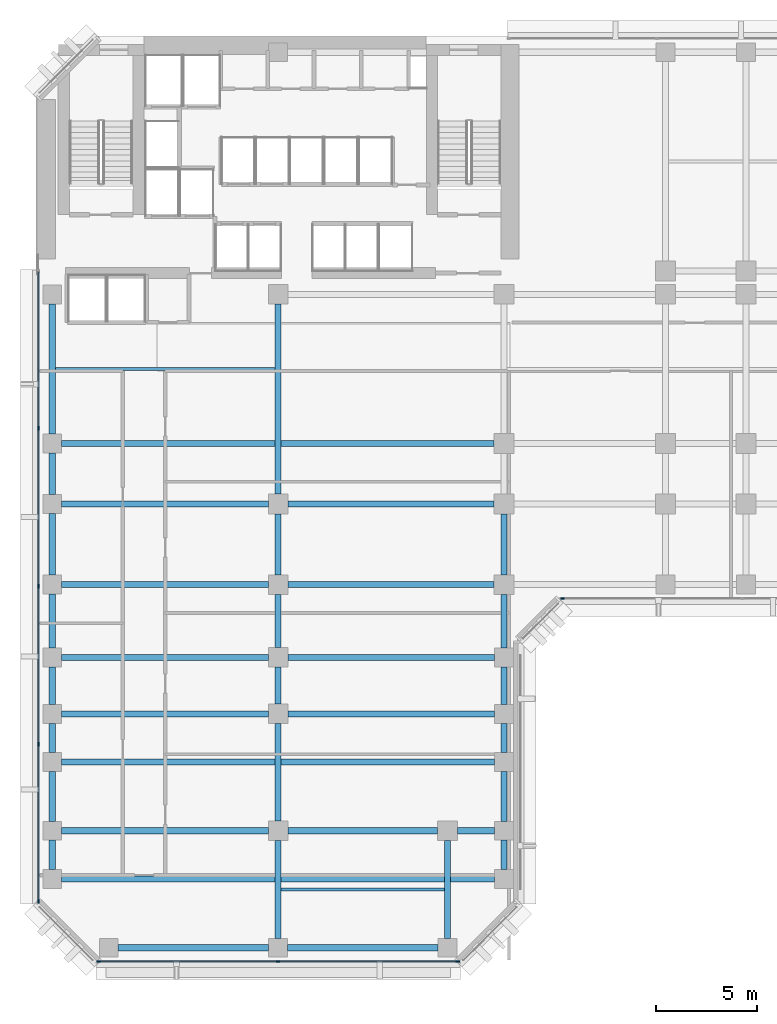
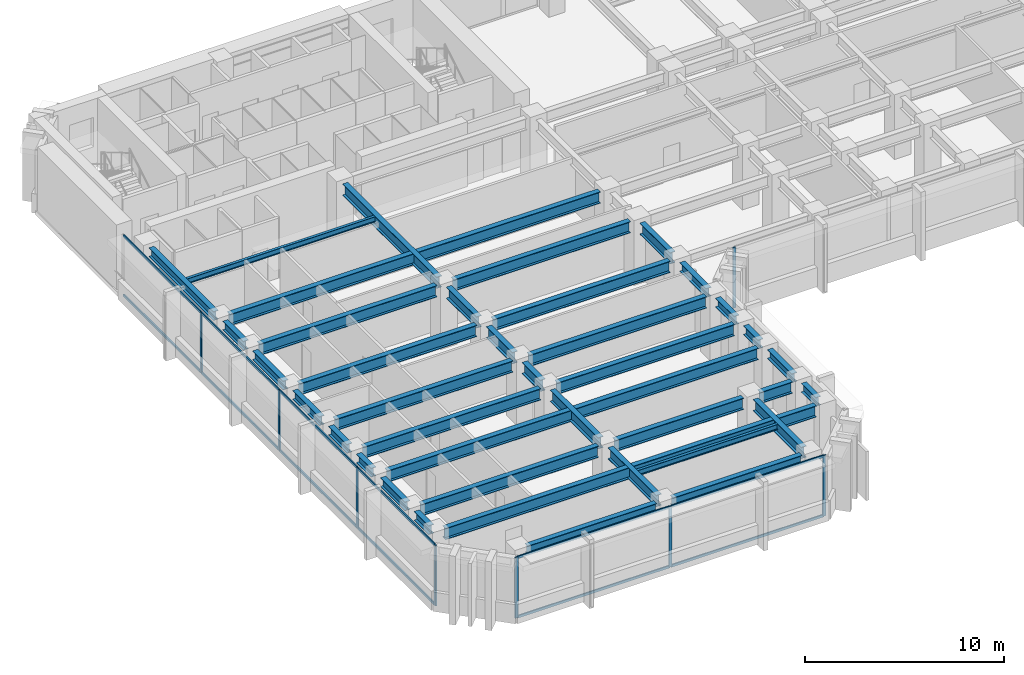
# One storey, part 2 of 14: 39 beams, 20 members, 3 elements without a shape of their own.
"""IFC4 building model written with IfcOpenShell, lengths in metres."""

from ifc_helpers import new_model, si_unit, direction, frame, origin, origin_2d, place, context, subcontext, project, spatial, rectangle, i_section, extrude, material, layer, layer_set, material_profile, profile_set, type_object, element, aggregate, save


model = new_model("IFC4")

# Units and contexts
model_context = context("Model", 3, precision=1e-05, world=origin(), true_north=direction((0.0, 1.0)))
body_context = subcontext(model_context, "Body", "Model", "MODEL_VIEW")
ifc_project = project(units=[si_unit("LENGTHUNIT", "METRE"), si_unit("AREAUNIT", "SQUARE_METRE"), si_unit("VOLUMEUNIT", "CUBIC_METRE"), si_unit("PLANEANGLEUNIT", "RADIAN"), si_unit("MASSUNIT", "GRAM", prefix="KILO")], contexts=[model_context])

# Site, building, storey
site_placement = place(None, origin())
site = spatial("IfcSite", under=ifc_project, at=site_placement, CompositionType="ELEMENT")
building_placement = place(site_placement, origin())
building = spatial("IfcBuilding", under=site, at=building_placement, Name="Kefirva Bronze Tower", CompositionType="ELEMENT")
storey_placement = place(building_placement, frame((0.0, 0.0, 34.320068359375)))
storey = spatial("IfcBuildingStorey", under=building, at=storey_placement, Name="L07", CompositionType="ELEMENT", Elevation=34.320068359375)

# Curtain wall, members
ifc_material_1 = material(Name="Bronze anodised aluminium", Category="aluminium")
ifc_layer = layer(ifc_material_1, 0.199951171875, Name="Bronze anodised aluminium")
ifc_layer_set = layer_set([ifc_layer], Name="Bronze anodised aluminium")
curtain_wall_type = type_object("IfcCurtainWallType", Name="Unitised Bronze Ribbon Curtain Wall Zone 1", PredefinedType="USERDEFINED", material=ifc_layer_set)
curtain_wall_1_placement = place(storey_placement, origin())
curtain_wall_1 = element("IfcCurtainWall", 1, at=curtain_wall_1_placement, inside=storey, type_object=curtain_wall_type, Name="L07 Curtain Wall 1", ObjectType="UNITISED CURTAIN WALL", PredefinedType="USERDEFINED")
ifc_material_profile_1 = material_profile(ifc_material_1, rectangle(XDim=0.074951171875, YDim=0.179931640625, at=origin_2d()), Name="ALU 75x180")
ifc_profile_set_1 = profile_set([ifc_material_profile_1], Name="Bronze anodised aluminium")
member_type_1 = type_object("IfcMemberType", Name="Bronze Mullion 75x180", PredefinedType="MULLION", material=ifc_profile_set_1)
member_1_placement = place(storey_placement, frame((3.092529296875, 0.1201171875, 0.0), z_axis=(0.0, 0.0, 1.0), x_axis=(0.0, 1.0, 0.0)))
member_1 = element("IfcMember", 2, at=member_1_placement, type_object=member_type_1, Name="CW-01 mullion 1", PredefinedType="MULLION", context=body_context, shape_type="SweptSolid", body=[
    extrude(rectangle(XDim=0.074951171875, YDim=0.179931640625, at=origin_2d()), origin(), (0.0, 0.0, 1.0), 3.7099609375),
])
member_2_placement = place(storey_placement, frame((12.0, 0.1201171875, 0.0), z_axis=(0.0, 0.0, 1.0), x_axis=(0.0, 1.0, 0.0)))
member_2 = element("IfcMember", 3, at=member_2_placement, type_object=member_type_1, Name="CW-01 mullion 2", PredefinedType="MULLION", context=body_context, shape_type="SweptSolid", body=[
    extrude(rectangle(XDim=0.074951171875, YDim=0.179931640625, at=origin_2d()), origin(), (0.0, 0.0, 1.0), 3.7099609375),
])
member_3_placement = place(storey_placement, frame((20.907470703125, 0.1201171875, 0.0), z_axis=(0.0, 0.0, 1.0), x_axis=(0.0, 1.0, 0.0)))
member_3 = element("IfcMember", 4, at=member_3_placement, type_object=member_type_1, Name="CW-01 mullion 3", PredefinedType="MULLION", context=body_context, shape_type="SweptSolid", body=[
    extrude(rectangle(XDim=0.074951171875, YDim=0.179931640625, at=origin_2d()), origin(), (0.0, 0.0, 1.0), 3.7099609375),
])

# Curtain wall, member
curtain_wall_2_placement = place(storey_placement, origin())
curtain_wall_2 = element("IfcCurtainWall", 5, at=curtain_wall_2_placement, inside=storey, type_object=curtain_wall_type, Name="L07 Curtain Wall 2", ObjectType="UNITISED CURTAIN WALL", PredefinedType="USERDEFINED")
member_4_placement = place(storey_placement, frame((26.092529296875, 18.1201171875, 0.0), z_axis=(0.0, 0.0, 1.0), x_axis=(0.0, 1.0, 0.0)))
member_4 = element("IfcMember", 6, at=member_4_placement, type_object=member_type_1, Name="CW-01 mullion 1", PredefinedType="MULLION", context=body_context, shape_type="SweptSolid", body=[
    extrude(rectangle(XDim=0.074951171875, YDim=0.179931640625, at=origin_2d()), origin(), (0.0, 0.0, 1.0), 3.7099609375),
])
aggregate(curtain_wall_2, [member_4])

# Curtain wall, members
curtain_wall_3_placement = place(storey_placement, origin())
curtain_wall_3 = element("IfcCurtainWall", 7, at=curtain_wall_3_placement, inside=storey, type_object=curtain_wall_type, Name="L07 Curtain Wall 5", ObjectType="UNITISED CURTAIN WALL", PredefinedType="USERDEFINED")
member_5_placement = place(storey_placement, frame((0.1201171875, 26.56005859375, 0.0), z_axis=(0.0, 0.0, 1.0), x_axis=(1.0, 0.0, 0.0)))
member_5 = element("IfcMember", 8, at=member_5_placement, type_object=member_type_1, Name="CW-01 mullion 2", PredefinedType="MULLION", context=body_context, shape_type="SweptSolid", body=[
    extrude(rectangle(XDim=0.074951171875, YDim=0.179931640625, at=origin_2d()), origin(), (0.0, 0.0, 1.0), 3.7099609375),
])
member_6_placement = place(storey_placement, frame((0.1201171875, 18.72509765625, 0.0), z_axis=(0.0, 0.0, 1.0), x_axis=(1.0, 0.0, 0.0)))
member_6 = element("IfcMember", 9, at=member_6_placement, type_object=member_type_1, Name="CW-01 mullion 3", PredefinedType="MULLION", context=body_context, shape_type="SweptSolid", body=[
    extrude(rectangle(XDim=0.074951171875, YDim=0.179931640625, at=origin_2d()), origin(), (0.0, 0.0, 1.0), 3.7099609375),
])
member_7_placement = place(storey_placement, frame((0.1201171875, 10.889892578125, 0.0), z_axis=(0.0, 0.0, 1.0), x_axis=(1.0, 0.0, 0.0)))
member_7 = element("IfcMember", 10, at=member_7_placement, type_object=member_type_1, Name="CW-01 mullion 4", PredefinedType="MULLION", context=body_context, shape_type="SweptSolid", body=[
    extrude(rectangle(XDim=0.074951171875, YDim=0.179931640625, at=origin_2d()), origin(), (0.0, 0.0, 1.0), 3.7099609375),
])
member_8_placement = place(storey_placement, frame((0.1201171875, 3.092529296875, 0.0), z_axis=(0.0, 0.0, 1.0), x_axis=(1.0, 0.0, 0.0)))
member_8 = element("IfcMember", 11, at=member_8_placement, type_object=member_type_1, Name="CW-01 mullion 5", PredefinedType="MULLION", context=body_context, shape_type="SweptSolid", body=[
    extrude(rectangle(XDim=0.074951171875, YDim=0.179931640625, at=origin_2d()), origin(), (0.0, 0.0, 1.0), 3.7099609375),
])

# Member
ifc_material_profile_2 = material_profile(ifc_material_1, rectangle(XDim=0.074951171875, YDim=0.14990234375, at=origin_2d()), Name="ALU 75x150")
ifc_profile_set_2 = profile_set([ifc_material_profile_2], Name="Bronze anodised aluminium")
member_type_2 = type_object("IfcMemberType", Name="Bronze Transom 75x150", PredefinedType="USERDEFINED", material=ifc_profile_set_2)
member_9_placement = place(storey_placement, frame((3.1298828125, 0.1201171875, 0.037353515625), z_axis=(1.0, 0.0, 0.0), x_axis=(0.0, 1.0, 0.0)))
member_9 = element("IfcMember", 12, at=member_9_placement, type_object=member_type_2, Name="CW-01 transom 1.1", ObjectType="TRANSOM", PredefinedType="USERDEFINED", context=body_context, shape_type="SweptSolid", body=[
    extrude(rectangle(XDim=0.074951171875, YDim=0.14990234375, at=origin_2d()), origin(), (0.0, 0.0, 1.0), 8.83251953125),
])

member_10_placement = place(storey_placement, frame((3.1298828125, 0.1201171875, 3.67236328125), z_axis=(1.0, 0.0, 0.0), x_axis=(0.0, 1.0, 0.0)))
member_10 = element("IfcMember", 13, at=member_10_placement, type_object=member_type_2, Name="CW-01 transom 1.2", ObjectType="TRANSOM", PredefinedType="USERDEFINED", context=body_context, shape_type="SweptSolid", body=[
    extrude(rectangle(XDim=0.074951171875, YDim=0.14990234375, at=origin_2d()), origin(), (0.0, 0.0, 1.0), 8.83251953125),
])

member_11_placement = place(storey_placement, frame((12.03759765625, 0.1201171875, 0.037353515625), z_axis=(1.0, 0.0, 0.0), x_axis=(0.0, 1.0, 0.0)))
member_11 = element("IfcMember", 14, at=member_11_placement, type_object=member_type_2, Name="CW-01 transom 2.1", ObjectType="TRANSOM", PredefinedType="USERDEFINED", context=body_context, shape_type="SweptSolid", body=[
    extrude(rectangle(XDim=0.074951171875, YDim=0.14990234375, at=origin_2d()), origin(), (0.0, 0.0, 1.0), 8.83251953125),
])

member_12_placement = place(storey_placement, frame((12.03759765625, 0.1201171875, 3.67236328125), z_axis=(1.0, 0.0, 0.0), x_axis=(0.0, 1.0, 0.0)))
member_12 = element("IfcMember", 15, at=member_12_placement, type_object=member_type_2, Name="CW-01 transom 2.2", ObjectType="TRANSOM", PredefinedType="USERDEFINED", context=body_context, shape_type="SweptSolid", body=[
    extrude(rectangle(XDim=0.074951171875, YDim=0.14990234375, at=origin_2d()), origin(), (0.0, 0.0, 1.0), 8.83251953125),
])

aggregate(curtain_wall_1, [member_1, member_2, member_3, member_9, member_10, member_11, member_12])

member_13_placement = place(storey_placement, frame((0.1201171875, 34.320068359375, 0.037353515625), z_axis=(0.0, -1.0, 0.0), x_axis=(1.0, 0.0, 0.0)))
member_13 = element("IfcMember", 16, at=member_13_placement, type_object=member_type_2, Name="CW-01 transom 1.1", ObjectType="TRANSOM", PredefinedType="USERDEFINED", context=body_context, shape_type="SweptSolid", body=[
    extrude(rectangle(XDim=0.074951171875, YDim=0.14990234375, at=origin_2d()), origin(), (0.0, 0.0, 1.0), 7.72265625),
])

member_14_placement = place(storey_placement, frame((0.1201171875, 34.320068359375, 3.67236328125), z_axis=(0.0, -1.0, 0.0), x_axis=(1.0, 0.0, 0.0)))
member_14 = element("IfcMember", 17, at=member_14_placement, type_object=member_type_2, Name="CW-01 transom 1.2", ObjectType="TRANSOM", PredefinedType="USERDEFINED", context=body_context, shape_type="SweptSolid", body=[
    extrude(rectangle(XDim=0.074951171875, YDim=0.14990234375, at=origin_2d()), origin(), (0.0, 0.0, 1.0), 7.72265625),
])

member_15_placement = place(storey_placement, frame((0.1201171875, 26.5224609375, 0.037353515625), z_axis=(0.0, -1.0, 0.0), x_axis=(1.0, 0.0, 0.0)))
member_15 = element("IfcMember", 18, at=member_15_placement, type_object=member_type_2, Name="CW-01 transom 2.1", ObjectType="TRANSOM", PredefinedType="USERDEFINED", context=body_context, shape_type="SweptSolid", body=[
    extrude(rectangle(XDim=0.074951171875, YDim=0.14990234375, at=origin_2d()), origin(), (0.0, 0.0, 1.0), 7.760009765625),
])

member_16_placement = place(storey_placement, frame((0.1201171875, 26.5224609375, 3.67236328125), z_axis=(0.0, -1.0, 0.0), x_axis=(1.0, 0.0, 0.0)))
member_16 = element("IfcMember", 19, at=member_16_placement, type_object=member_type_2, Name="CW-01 transom 2.2", ObjectType="TRANSOM", PredefinedType="USERDEFINED", context=body_context, shape_type="SweptSolid", body=[
    extrude(rectangle(XDim=0.074951171875, YDim=0.14990234375, at=origin_2d()), origin(), (0.0, 0.0, 1.0), 7.760009765625),
])

member_17_placement = place(storey_placement, frame((0.1201171875, 18.6875, 0.037353515625), z_axis=(0.0, -1.0, 0.0), x_axis=(1.0, 0.0, 0.0)))
member_17 = element("IfcMember", 20, at=member_17_placement, type_object=member_type_2, Name="CW-01 transom 3.1", ObjectType="TRANSOM", PredefinedType="USERDEFINED", context=body_context, shape_type="SweptSolid", body=[
    extrude(rectangle(XDim=0.074951171875, YDim=0.14990234375, at=origin_2d()), origin(), (0.0, 0.0, 1.0), 7.760009765625),
])

member_18_placement = place(storey_placement, frame((0.1201171875, 18.6875, 3.67236328125), z_axis=(0.0, -1.0, 0.0), x_axis=(1.0, 0.0, 0.0)))
member_18 = element("IfcMember", 21, at=member_18_placement, type_object=member_type_2, Name="CW-01 transom 3.2", ObjectType="TRANSOM", PredefinedType="USERDEFINED", context=body_context, shape_type="SweptSolid", body=[
    extrude(rectangle(XDim=0.074951171875, YDim=0.14990234375, at=origin_2d()), origin(), (0.0, 0.0, 1.0), 7.760009765625),
])

member_19_placement = place(storey_placement, frame((0.1201171875, 10.8525390625, 0.037353515625), z_axis=(0.0, -1.0, 0.0), x_axis=(1.0, 0.0, 0.0)))
member_19 = element("IfcMember", 22, at=member_19_placement, type_object=member_type_2, Name="CW-01 transom 4.1", ObjectType="TRANSOM", PredefinedType="USERDEFINED", context=body_context, shape_type="SweptSolid", body=[
    extrude(rectangle(XDim=0.074951171875, YDim=0.14990234375, at=origin_2d()), origin(), (0.0, 0.0, 1.0), 7.72265625),
])

member_20_placement = place(storey_placement, frame((0.1201171875, 10.8525390625, 3.67236328125), z_axis=(0.0, -1.0, 0.0), x_axis=(1.0, 0.0, 0.0)))
member_20 = element("IfcMember", 23, at=member_20_placement, type_object=member_type_2, Name="CW-01 transom 4.2", ObjectType="TRANSOM", PredefinedType="USERDEFINED", context=body_context, shape_type="SweptSolid", body=[
    extrude(rectangle(XDim=0.074951171875, YDim=0.14990234375, at=origin_2d()), origin(), (0.0, 0.0, 1.0), 7.72265625),
])

aggregate(curtain_wall_3, [member_5, member_6, member_7, member_8, member_13, member_14, member_15, member_16, member_17, member_18, member_19, member_20])

# Beams
ifc_material_2 = material(Name="Steel S355", Category="steel")
ifc_material_profile_3 = material_profile(ifc_material_2, i_section(OverallWidth=0.159912109375, OverallDepth=0.330078125, WebThickness=0.007568359375, FlangeThickness=0.011474609375, at=origin_2d()), Name="IPE 330")
ifc_profile_set_3 = profile_set([ifc_material_profile_3], Name="Steel S355")
beam_type_1 = type_object("IfcBeamType", Name="Steel Floor Joist IPE 330", PredefinedType="JOIST", material=ifc_profile_set_3)
beam_1_placement = place(storey_placement, frame((0.949951171875, 29.489990234375, 3.544921875), z_axis=(1.0, 0.0, 0.0), x_axis=(0.0, 1.0, 0.0)))
element("IfcBeam", 24, at=beam_1_placement, inside=storey, type_object=beam_type_1, Name="L07 JST-L07-0-294", PredefinedType="JOIST", context=body_context, shape_type="SweptSolid", body=[
    extrude(i_section(OverallWidth=0.159912109375, OverallDepth=0.330078125, WebThickness=0.007568359375, FlangeThickness=0.011474609375, at=origin_2d()), origin(), (0.0, 0.0, 1.0), 10.900146484375),
])
beam_2_placement = place(storey_placement, frame((12.14990234375, 3.68994140625, 3.544921875), z_axis=(1.0, 0.0, 0.0), x_axis=(0.0, 1.0, 0.0)))
element("IfcBeam", 25, at=beam_2_placement, inside=storey, type_object=beam_type_1, Name="L07 JST-L07-12-36", PredefinedType="JOIST", context=body_context, shape_type="SweptSolid", body=[
    extrude(i_section(OverallWidth=0.159912109375, OverallDepth=0.330078125, WebThickness=0.007568359375, FlangeThickness=0.011474609375, at=origin_2d()), origin(), (0.0, 0.0, 1.0), 8.10009765625),
])
ifc_material_profile_4 = material_profile(ifc_material_2, i_section(OverallWidth=0.300048828125, OverallDepth=0.699951171875, WebThickness=0.01708984375, FlangeThickness=0.031982421875, at=origin_2d()), Name="HEB 700")
ifc_profile_set_4 = profile_set([ifc_material_profile_4], Name="Steel S355")
beam_type_2 = type_object("IfcBeamType", Name="Steel Girder HEB 700", PredefinedType="USERDEFINED", material=ifc_profile_set_4)
beam_3_placement = place(storey_placement, frame((1.27001953125, 4.199951171875, 3.35986328125), z_axis=(1.0, 0.0, 0.0), x_axis=(0.0, 1.0, 0.0)))
element("IfcBeam", 26, at=beam_3_placement, inside=storey, type_object=beam_type_2, Name="L07 BM-L07-EW-0-42", ObjectType="GIRDER", PredefinedType="USERDEFINED", context=body_context, shape_type="SweptSolid", body=[
    extrude(i_section(OverallWidth=0.300048828125, OverallDepth=0.699951171875, WebThickness=0.01708984375, FlangeThickness=0.031982421875, at=origin_2d()), origin(), (0.0, 0.0, 1.0), 21.4599609375),
])
beam_4_placement = place(storey_placement, frame((1.27001953125, 6.60009765625, 3.35986328125), z_axis=(1.0, 0.0, 0.0), x_axis=(0.0, 1.0, 0.0)))
element("IfcBeam", 27, at=beam_4_placement, inside=storey, type_object=beam_type_2, Name="L07 BM-L07-EW-0-66", ObjectType="GIRDER", PredefinedType="USERDEFINED", context=body_context, shape_type="SweptSolid", body=[
    extrude(i_section(OverallWidth=0.300048828125, OverallDepth=0.699951171875, WebThickness=0.01708984375, FlangeThickness=0.031982421875, at=origin_2d()), origin(), (0.0, 0.0, 1.0), 10.239990234375),
])
beam_5_placement = place(storey_placement, frame((12.489990234375, 6.60009765625, 3.35986328125), z_axis=(1.0, 0.0, 0.0), x_axis=(0.0, 1.0, 0.0)))
element("IfcBeam", 28, at=beam_5_placement, inside=storey, type_object=beam_type_2, Name="L07 BM-L07-EW-12-66", ObjectType="GIRDER", PredefinedType="USERDEFINED", context=body_context, shape_type="SweptSolid", body=[
    extrude(i_section(OverallWidth=0.300048828125, OverallDepth=0.699951171875, WebThickness=0.01708984375, FlangeThickness=0.031982421875, at=origin_2d()), origin(), (0.0, 0.0, 1.0), 7.419921875),
])
beam_6_placement = place(storey_placement, frame((20.889892578125, 6.60009765625, 3.35986328125), z_axis=(1.0, 0.0, 0.0), x_axis=(0.0, 1.0, 0.0)))
element("IfcBeam", 29, at=beam_6_placement, inside=storey, type_object=beam_type_2, Name="L07 BM-L07-EW-20-66", ObjectType="GIRDER", PredefinedType="USERDEFINED", context=body_context, shape_type="SweptSolid", body=[
    extrude(i_section(OverallWidth=0.300048828125, OverallDepth=0.699951171875, WebThickness=0.01708984375, FlangeThickness=0.031982421875, at=origin_2d()), origin(), (0.0, 0.0, 1.0), 1.840087890625),
])
beam_7_placement = place(storey_placement, frame((1.27001953125, 10.0, 3.35986328125), z_axis=(1.0, 0.0, 0.0), x_axis=(0.0, 1.0, 0.0)))
element("IfcBeam", 30, at=beam_7_placement, inside=storey, type_object=beam_type_2, Name="L07 BM-L07-EW-0-100", ObjectType="GIRDER", PredefinedType="USERDEFINED", context=body_context, shape_type="SweptSolid", body=[
    extrude(i_section(OverallWidth=0.300048828125, OverallDepth=0.699951171875, WebThickness=0.01708984375, FlangeThickness=0.031982421875, at=origin_2d()), origin(), (0.0, 0.0, 1.0), 21.4599609375),
])
for number, where, z_axis, x_axis, name in (
    (31, (1.27001953125, 12.39990234375, 3.35986328125), (1.0, 0.0, 0.0), (0.0, 1.0, 0.0), "L07 BM-L07-EW-0-124"),
    (32, (12.489990234375, 12.39990234375, 3.35986328125), (1.0, 0.0, 0.0), (0.0, 1.0, 0.0), "L07 BM-L07-EW-12-124"),
    (33, (1.27001953125, 15.199951171875, 3.35986328125), (1.0, 0.0, 0.0), (0.0, 1.0, 0.0), "L07 BM-L07-EW-0-152"),
    (34, (12.489990234375, 15.199951171875, 3.35986328125), (1.0, 0.0, 0.0), (0.0, 1.0, 0.0), "L07 BM-L07-EW-12-152"),
    (35, (1.27001953125, 18.800048828125, 3.35986328125), (1.0, 0.0, 0.0), (0.0, 1.0, 0.0), "L07 BM-L07-EW-0-188"),
):
    element("IfcBeam", number, at=place(storey_placement, frame(where, z_axis=z_axis, x_axis=x_axis)), inside=storey, type_object=beam_type_2, Name=name, ObjectType="GIRDER", PredefinedType="USERDEFINED", context=body_context, shape_type="SweptSolid", body=[
        extrude(i_section(OverallWidth=0.300048828125, OverallDepth=0.699951171875, WebThickness=0.01708984375, FlangeThickness=0.031982421875, at=origin_2d()), origin(), (0.0, 0.0, 1.0), 10.239990234375),
    ])
beam_8_placement = place(storey_placement, frame((12.489990234375, 18.800048828125, 3.35986328125), z_axis=(1.0, 0.0, 0.0), x_axis=(0.0, 1.0, 0.0)))
element("IfcBeam", 36, at=beam_8_placement, inside=storey, type_object=beam_type_2, Name="L07 BM-L07-EW-12-188", ObjectType="GIRDER", PredefinedType="USERDEFINED", context=body_context, shape_type="SweptSolid", body=[
    extrude(i_section(OverallWidth=0.300048828125, OverallDepth=0.699951171875, WebThickness=0.01708984375, FlangeThickness=0.031982421875, at=origin_2d()), origin(), (0.0, 0.0, 1.0), 10.219970703125),
])
beam_9_placement = place(storey_placement, frame((1.27001953125, 22.800048828125, 3.35986328125), z_axis=(1.0, 0.0, 0.0), x_axis=(0.0, 1.0, 0.0)))
element("IfcBeam", 37, at=beam_9_placement, inside=storey, type_object=beam_type_2, Name="L07 BM-L07-EW-0-228", ObjectType="GIRDER", PredefinedType="USERDEFINED", context=body_context, shape_type="SweptSolid", body=[
    extrude(i_section(OverallWidth=0.300048828125, OverallDepth=0.699951171875, WebThickness=0.01708984375, FlangeThickness=0.031982421875, at=origin_2d()), origin(), (0.0, 0.0, 1.0), 10.239990234375),
])
beam_10_placement = place(storey_placement, frame((12.489990234375, 22.800048828125, 3.35986328125), z_axis=(1.0, 0.0, 0.0), x_axis=(0.0, 1.0, 0.0)))
element("IfcBeam", 38, at=beam_10_placement, inside=storey, type_object=beam_type_2, Name="L07 BM-L07-EW-12-228", ObjectType="GIRDER", PredefinedType="USERDEFINED", context=body_context, shape_type="SweptSolid", body=[
    extrude(i_section(OverallWidth=0.300048828125, OverallDepth=0.699951171875, WebThickness=0.01708984375, FlangeThickness=0.031982421875, at=origin_2d()), origin(), (0.0, 0.0, 1.0), 10.219970703125),
])
beam_11_placement = place(storey_placement, frame((1.27001953125, 25.800048828125, 3.35986328125), z_axis=(1.0, 0.0, 0.0), x_axis=(0.0, 1.0, 0.0)))
element("IfcBeam", 39, at=beam_11_placement, inside=storey, type_object=beam_type_2, Name="L07 BM-L07-EW-0-258", ObjectType="GIRDER", PredefinedType="USERDEFINED", context=body_context, shape_type="SweptSolid", body=[
    extrude(i_section(OverallWidth=0.300048828125, OverallDepth=0.699951171875, WebThickness=0.01708984375, FlangeThickness=0.031982421875, at=origin_2d()), origin(), (0.0, 0.0, 1.0), 21.43994140625),
])
beam_12_placement = place(storey_placement, frame((12.0, 1.27001953125, 3.35986328125), z_axis=(0.0, 1.0, 0.0), x_axis=(-1.0, 0.0, 0.0)))
element("IfcBeam", 40, at=beam_12_placement, inside=storey, type_object=beam_type_2, Name="L07 BM-L07-NS-120-0", ObjectType="GIRDER", PredefinedType="USERDEFINED", context=body_context, shape_type="SweptSolid", body=[
    extrude(i_section(OverallWidth=0.300048828125, OverallDepth=0.699951171875, WebThickness=0.01708984375, FlangeThickness=0.031982421875, at=origin_2d()), origin(), (0.0, 0.0, 1.0), 4.840087890625),
])
beam_13_placement = place(storey_placement, frame((12.0, 7.090087890625, 3.35986328125), z_axis=(0.0, 1.0, 0.0), x_axis=(-1.0, 0.0, 0.0)))
element("IfcBeam", 41, at=beam_13_placement, inside=storey, type_object=beam_type_2, Name="L07 BM-L07-NS-120-6", ObjectType="GIRDER", PredefinedType="USERDEFINED", context=body_context, shape_type="SweptSolid", body=[
    extrude(i_section(OverallWidth=0.300048828125, OverallDepth=0.699951171875, WebThickness=0.01708984375, FlangeThickness=0.031982421875, at=origin_2d()), origin(), (0.0, 0.0, 1.0), 4.81982421875),
])
beam_14_placement = place(storey_placement, frame((12.0, 12.889892578125, 3.35986328125), z_axis=(0.0, 1.0, 0.0), x_axis=(-1.0, 0.0, 0.0)))
element("IfcBeam", 42, at=beam_14_placement, inside=storey, type_object=beam_type_2, Name="L07 BM-L07-NS-120-12", ObjectType="GIRDER", PredefinedType="USERDEFINED", context=body_context, shape_type="SweptSolid", body=[
    extrude(i_section(OverallWidth=0.300048828125, OverallDepth=0.699951171875, WebThickness=0.01708984375, FlangeThickness=0.031982421875, at=origin_2d()), origin(), (0.0, 0.0, 1.0), 1.820068359375),
])
beam_15_placement = place(storey_placement, frame((12.0, 15.68994140625, 3.35986328125), z_axis=(0.0, 1.0, 0.0), x_axis=(-1.0, 0.0, 0.0)))
element("IfcBeam", 43, at=beam_15_placement, inside=storey, type_object=beam_type_2, Name="L07 BM-L07-NS-120-15", ObjectType="GIRDER", PredefinedType="USERDEFINED", context=body_context, shape_type="SweptSolid", body=[
    extrude(i_section(OverallWidth=0.300048828125, OverallDepth=0.699951171875, WebThickness=0.01708984375, FlangeThickness=0.031982421875, at=origin_2d()), origin(), (0.0, 0.0, 1.0), 2.6201171875),
])
beam_16_placement = place(storey_placement, frame((12.0, 19.2900390625, 3.35986328125), z_axis=(0.0, 1.0, 0.0), x_axis=(-1.0, 0.0, 0.0)))
element("IfcBeam", 44, at=beam_16_placement, inside=storey, type_object=beam_type_2, Name="L07 BM-L07-NS-120-18", ObjectType="GIRDER", PredefinedType="USERDEFINED", context=body_context, shape_type="SweptSolid", body=[
    extrude(i_section(OverallWidth=0.300048828125, OverallDepth=0.699951171875, WebThickness=0.01708984375, FlangeThickness=0.031982421875, at=origin_2d()), origin(), (0.0, 0.0, 1.0), 3.02001953125),
])
beam_17_placement = place(storey_placement, frame((12.0, 23.2900390625, 3.35986328125), z_axis=(0.0, 1.0, 0.0), x_axis=(-1.0, 0.0, 0.0)))
element("IfcBeam", 45, at=beam_17_placement, inside=storey, type_object=beam_type_2, Name="L07 BM-L07-NS-120-22", ObjectType="GIRDER", PredefinedType="USERDEFINED", context=body_context, shape_type="SweptSolid", body=[
    extrude(i_section(OverallWidth=0.300048828125, OverallDepth=0.699951171875, WebThickness=0.01708984375, FlangeThickness=0.031982421875, at=origin_2d()), origin(), (0.0, 0.0, 1.0), 9.419921875),
])
beam_18_placement = place(storey_placement, frame((20.39990234375, 1.27001953125, 3.35986328125), z_axis=(0.0, 1.0, 0.0), x_axis=(-1.0, 0.0, 0.0)))
element("IfcBeam", 46, at=beam_18_placement, inside=storey, type_object=beam_type_2, Name="L07 BM-L07-NS-204-0", ObjectType="GIRDER", PredefinedType="USERDEFINED", context=body_context, shape_type="SweptSolid", body=[
    extrude(i_section(OverallWidth=0.300048828125, OverallDepth=0.699951171875, WebThickness=0.01708984375, FlangeThickness=0.031982421875, at=origin_2d()), origin(), (0.0, 0.0, 1.0), 4.840087890625),
])
beam_19_placement = place(storey_placement, frame((23.199951171875, 19.2900390625, 3.35986328125), z_axis=(0.0, 1.0, 0.0), x_axis=(-1.0, 0.0, 0.0)))
element("IfcBeam", 47, at=beam_19_placement, inside=storey, type_object=beam_type_2, Name="L07 BM-L07-NS-232-18", ObjectType="GIRDER", PredefinedType="USERDEFINED", context=body_context, shape_type="SweptSolid", body=[
    extrude(i_section(OverallWidth=0.300048828125, OverallDepth=0.699951171875, WebThickness=0.01708984375, FlangeThickness=0.031982421875, at=origin_2d()), origin(), (0.0, 0.0, 1.0), 3.02001953125),
])
ifc_material_profile_5 = material_profile(ifc_material_2, i_section(OverallWidth=0.300048828125, OverallDepth=0.550048828125, WebThickness=0.014892578125, FlangeThickness=0.029052734375, at=origin_2d()), Name="HEB 550")
ifc_profile_set_5 = profile_set([ifc_material_profile_5], Name="Steel S355")
beam_type_3 = type_object("IfcBeamType", Name="Steel Spandrel HEB 550 Ext", PredefinedType="SPANDREL", material=ifc_profile_set_5)
for number, where, z_axis, x_axis, name in (
    (48, (4.070068359375, 0.800048828125, 3.434814453125), (1.0, 0.0, 0.0), (0.0, 1.0, 0.0), "L07 BM-L07-EW-3-8"),
    (49, (12.469970703125, 0.800048828125, 3.434814453125), (1.0, 0.0, 0.0), (0.0, 1.0, 0.0), "L07 BM-L07-EW-12-8"),
):
    element("IfcBeam", number, at=place(storey_placement, frame(where, z_axis=z_axis, x_axis=x_axis)), inside=storey, type_object=beam_type_3, Name=name, PredefinedType="SPANDREL", context=body_context, shape_type="SweptSolid", body=[
        extrude(i_section(OverallWidth=0.300048828125, OverallDepth=0.550048828125, WebThickness=0.014892578125, FlangeThickness=0.029052734375, at=origin_2d()), origin(), (0.0, 0.0, 1.0), 7.4599609375),
    ])
beam_20_placement = place(storey_placement, frame((0.800048828125, 4.669921875, 3.434814453125), z_axis=(0.0, 1.0, 0.0), x_axis=(-1.0, 0.0, 0.0)))
element("IfcBeam", 50, at=beam_20_placement, inside=storey, type_object=beam_type_3, Name="L07 BM-L07-NS-8-4", PredefinedType="SPANDREL", context=body_context, shape_type="SweptSolid", body=[
    extrude(i_section(OverallWidth=0.300048828125, OverallDepth=0.550048828125, WebThickness=0.014892578125, FlangeThickness=0.029052734375, at=origin_2d()), origin(), (0.0, 0.0, 1.0), 1.4599609375),
])
beam_21_placement = place(storey_placement, frame((0.800048828125, 7.070068359375, 3.434814453125), z_axis=(0.0, 1.0, 0.0), x_axis=(-1.0, 0.0, 0.0)))
element("IfcBeam", 51, at=beam_21_placement, inside=storey, type_object=beam_type_3, Name="L07 BM-L07-NS-8-6", PredefinedType="SPANDREL", context=body_context, shape_type="SweptSolid", body=[
    extrude(i_section(OverallWidth=0.300048828125, OverallDepth=0.550048828125, WebThickness=0.014892578125, FlangeThickness=0.029052734375, at=origin_2d()), origin(), (0.0, 0.0, 1.0), 2.4599609375),
])
beam_22_placement = place(storey_placement, frame((0.800048828125, 10.469970703125, 3.434814453125), z_axis=(0.0, 1.0, 0.0), x_axis=(-1.0, 0.0, 0.0)))
element("IfcBeam", 52, at=beam_22_placement, inside=storey, type_object=beam_type_3, Name="L07 BM-L07-NS-8-10", PredefinedType="SPANDREL", context=body_context, shape_type="SweptSolid", body=[
    extrude(i_section(OverallWidth=0.300048828125, OverallDepth=0.550048828125, WebThickness=0.014892578125, FlangeThickness=0.029052734375, at=origin_2d()), origin(), (0.0, 0.0, 1.0), 1.4599609375),
])
beam_23_placement = place(storey_placement, frame((0.800048828125, 12.8701171875, 3.434814453125), z_axis=(0.0, 1.0, 0.0), x_axis=(-1.0, 0.0, 0.0)))
element("IfcBeam", 53, at=beam_23_placement, inside=storey, type_object=beam_type_3, Name="L07 BM-L07-NS-8-12", PredefinedType="SPANDREL", context=body_context, shape_type="SweptSolid", body=[
    extrude(i_section(OverallWidth=0.300048828125, OverallDepth=0.550048828125, WebThickness=0.014892578125, FlangeThickness=0.029052734375, at=origin_2d()), origin(), (0.0, 0.0, 1.0), 1.85986328125),
])
beam_24_placement = place(storey_placement, frame((0.800048828125, 15.669921875, 3.434814453125), z_axis=(0.0, 1.0, 0.0), x_axis=(-1.0, 0.0, 0.0)))
element("IfcBeam", 54, at=beam_24_placement, inside=storey, type_object=beam_type_3, Name="L07 BM-L07-NS-8-15", PredefinedType="SPANDREL", context=body_context, shape_type="SweptSolid", body=[
    extrude(i_section(OverallWidth=0.300048828125, OverallDepth=0.550048828125, WebThickness=0.014892578125, FlangeThickness=0.029052734375, at=origin_2d()), origin(), (0.0, 0.0, 1.0), 2.66015625),
])
beam_25_placement = place(storey_placement, frame((0.800048828125, 19.27001953125, 3.434814453125), z_axis=(0.0, 1.0, 0.0), x_axis=(-1.0, 0.0, 0.0)))
element("IfcBeam", 55, at=beam_25_placement, inside=storey, type_object=beam_type_3, Name="L07 BM-L07-NS-8-18", PredefinedType="SPANDREL", context=body_context, shape_type="SweptSolid", body=[
    extrude(i_section(OverallWidth=0.300048828125, OverallDepth=0.550048828125, WebThickness=0.014892578125, FlangeThickness=0.029052734375, at=origin_2d()), origin(), (0.0, 0.0, 1.0), 3.06005859375),
])
beam_26_placement = place(storey_placement, frame((0.800048828125, 23.27001953125, 3.434814453125), z_axis=(0.0, 1.0, 0.0), x_axis=(-1.0, 0.0, 0.0)))
element("IfcBeam", 56, at=beam_26_placement, inside=storey, type_object=beam_type_3, Name="L07 BM-L07-NS-8-22", PredefinedType="SPANDREL", context=body_context, shape_type="SweptSolid", body=[
    extrude(i_section(OverallWidth=0.300048828125, OverallDepth=0.550048828125, WebThickness=0.014892578125, FlangeThickness=0.029052734375, at=origin_2d()), origin(), (0.0, 0.0, 1.0), 2.06005859375),
])
beam_27_placement = place(storey_placement, frame((0.800048828125, 26.27001953125, 3.434814453125), z_axis=(0.0, 1.0, 0.0), x_axis=(-1.0, 0.0, 0.0)))
element("IfcBeam", 57, at=beam_27_placement, inside=storey, type_object=beam_type_3, Name="L07 BM-L07-NS-8-25", PredefinedType="SPANDREL", context=body_context, shape_type="SweptSolid", body=[
    extrude(i_section(OverallWidth=0.300048828125, OverallDepth=0.550048828125, WebThickness=0.014892578125, FlangeThickness=0.029052734375, at=origin_2d()), origin(), (0.0, 0.0, 1.0), 6.4599609375),
])
beam_28_placement = place(storey_placement, frame((23.199951171875, 4.669921875, 3.434814453125), z_axis=(0.0, 1.0, 0.0), x_axis=(-1.0, 0.0, 0.0)))
element("IfcBeam", 58, at=beam_28_placement, inside=storey, type_object=beam_type_3, Name="L07 BM-L07-NS-232-4", PredefinedType="SPANDREL", context=body_context, shape_type="SweptSolid", body=[
    extrude(i_section(OverallWidth=0.300048828125, OverallDepth=0.550048828125, WebThickness=0.014892578125, FlangeThickness=0.029052734375, at=origin_2d()), origin(), (0.0, 0.0, 1.0), 1.4599609375),
])
beam_29_placement = place(storey_placement, frame((23.199951171875, 7.070068359375, 3.434814453125), z_axis=(0.0, 1.0, 0.0), x_axis=(-1.0, 0.0, 0.0)))
element("IfcBeam", 59, at=beam_29_placement, inside=storey, type_object=beam_type_3, Name="L07 BM-L07-NS-232-6", PredefinedType="SPANDREL", context=body_context, shape_type="SweptSolid", body=[
    extrude(i_section(OverallWidth=0.300048828125, OverallDepth=0.550048828125, WebThickness=0.014892578125, FlangeThickness=0.029052734375, at=origin_2d()), origin(), (0.0, 0.0, 1.0), 2.4599609375),
])
beam_30_placement = place(storey_placement, frame((23.199951171875, 10.469970703125, 3.434814453125), z_axis=(0.0, 1.0, 0.0), x_axis=(-1.0, 0.0, 0.0)))
element("IfcBeam", 60, at=beam_30_placement, inside=storey, type_object=beam_type_3, Name="L07 BM-L07-NS-232-10", PredefinedType="SPANDREL", context=body_context, shape_type="SweptSolid", body=[
    extrude(i_section(OverallWidth=0.300048828125, OverallDepth=0.550048828125, WebThickness=0.014892578125, FlangeThickness=0.029052734375, at=origin_2d()), origin(), (0.0, 0.0, 1.0), 1.4599609375),
])
beam_31_placement = place(storey_placement, frame((23.199951171875, 12.8701171875, 3.434814453125), z_axis=(0.0, 1.0, 0.0), x_axis=(-1.0, 0.0, 0.0)))
element("IfcBeam", 61, at=beam_31_placement, inside=storey, type_object=beam_type_3, Name="L07 BM-L07-NS-232-12", PredefinedType="SPANDREL", context=body_context, shape_type="SweptSolid", body=[
    extrude(i_section(OverallWidth=0.300048828125, OverallDepth=0.550048828125, WebThickness=0.014892578125, FlangeThickness=0.029052734375, at=origin_2d()), origin(), (0.0, 0.0, 1.0), 1.85986328125),
])
beam_32_placement = place(storey_placement, frame((23.199951171875, 15.669921875, 3.434814453125), z_axis=(0.0, 1.0, 0.0), x_axis=(-1.0, 0.0, 0.0)))
element("IfcBeam", 62, at=beam_32_placement, inside=storey, type_object=beam_type_3, Name="L07 BM-L07-NS-232-15", PredefinedType="SPANDREL", context=body_context, shape_type="SweptSolid", body=[
    extrude(i_section(OverallWidth=0.300048828125, OverallDepth=0.550048828125, WebThickness=0.014892578125, FlangeThickness=0.029052734375, at=origin_2d()), origin(), (0.0, 0.0, 1.0), 2.64013671875),
])

save(model, "model.ifc")
